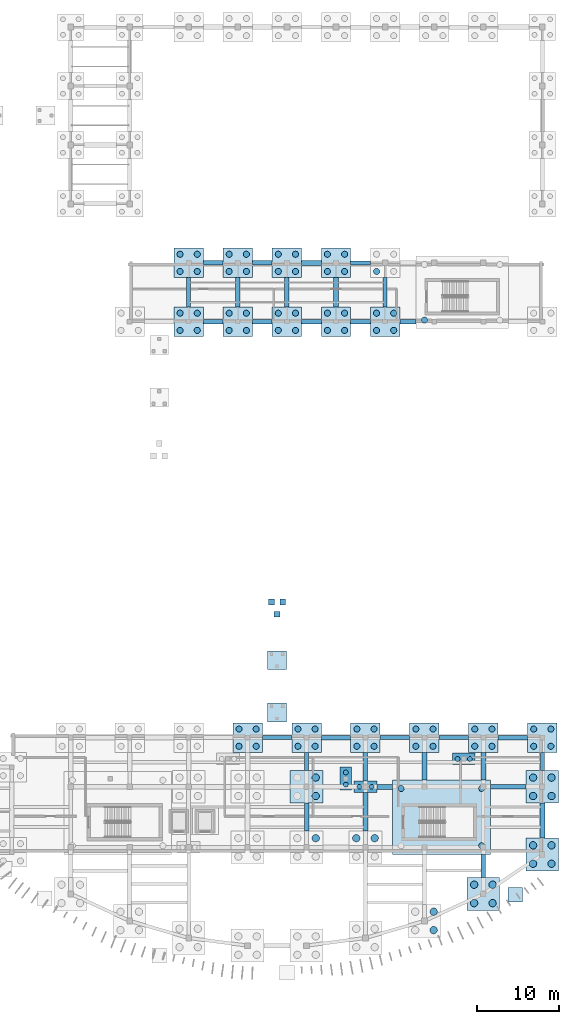
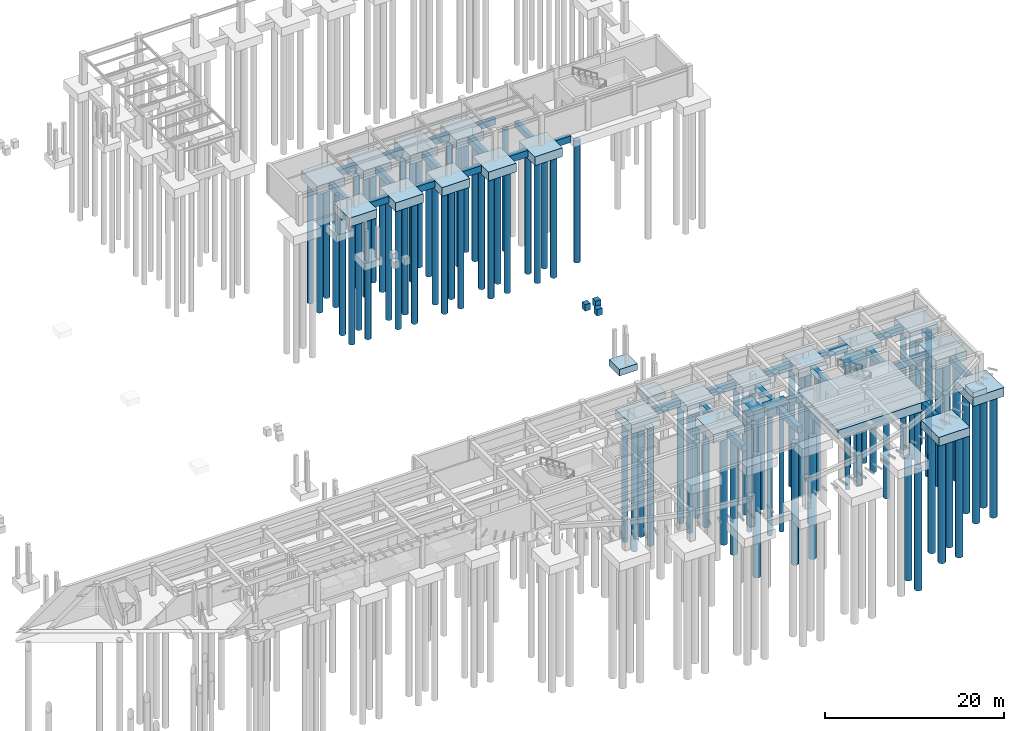
# One storey, part 6 of 31: 90 piles, 59 footings.
"""IFC4 building model written with IfcOpenShell, lengths in metres."""

from ifc_helpers import new_model, si_unit, direction, frame, origin, origin_2d, place, context, subcontext, project, spatial, rectangle, circle, extrude, material, material_profile, profile_set, type_object, element, save


model = new_model("IFC4")

# Units and contexts
model_context = context("Model", 3, precision=1e-05, world=origin(), true_north=direction((0.0, 1.0)))
body_context = subcontext(model_context, "Body", "Model", "MODEL_VIEW")
ifc_project = project(units=[si_unit("LENGTHUNIT", "METRE"), si_unit("AREAUNIT", "SQUARE_METRE"), si_unit("VOLUMEUNIT", "CUBIC_METRE"), si_unit("PLANEANGLEUNIT", "RADIAN"), si_unit("MASSUNIT", "GRAM", prefix="KILO")], contexts=[model_context])

# Site, building, storey
site_placement = place(None, origin())
site = spatial("IfcSite", under=ifc_project, at=site_placement, CompositionType="ELEMENT")
building_placement = place(site_placement, origin())
building = spatial("IfcBuilding", under=site, at=building_placement, Name="Brisavento Harbour Community Centre", CompositionType="ELEMENT")
storey_placement = place(building_placement, frame((0.0, 0.0, -4.199951171875)))
storey = spatial("IfcBuildingStorey", under=building, at=storey_placement, Name="B1", CompositionType="ELEMENT", Elevation=-4.199951171875)

# Footings
ifc_material = material(Name="Concrete C35/45", Category="concrete")
footing_type_1 = type_object("IfcFootingType", Name="FTG-GB-01", PredefinedType="FOOTING_BEAM", material=ifc_material)
footing_1_placement = place(storey_placement, frame((140.39990234375, 28.39990234375, -0.89990234375), z_axis=(0.0, 0.0, 1.0), x_axis=(1.0, 0.0, 0.0)))
element("IfcFooting", 1, at=footing_1_placement, inside=storey, type_object=footing_type_1, Name="Ground tie beam GB-084", PredefinedType="FOOTING_BEAM", context=body_context, shape_type="SweptSolid", body=[
    extrude(rectangle(XDim=3.60009765625, YDim=0.5, at=origin_2d()), origin(), (0.0, 0.0, 1.0), 0.89990234375),
])
footing_2_placement = place(storey_placement, frame((144.0, 25.5, -0.89990234375), z_axis=(0.0, 0.0, 1.0), x_axis=(1.0, 0.0, 0.0)))
element("IfcFooting", 2, at=footing_2_placement, inside=storey, type_object=footing_type_1, Name="Ground tie beam GB-087", PredefinedType="FOOTING_BEAM", context=body_context, shape_type="SweptSolid", body=[
    extrude(rectangle(XDim=0.5, YDim=2.199951171875, at=origin_2d()), origin(), (0.0, 0.0, 1.0), 0.89990234375),
])
for number, where, z_axis, x_axis, name in (
    (3, (154.800048828125, 28.39990234375, -0.89990234375), (0.0, 0.0, 1.0), (1.0, 0.0, 0.0), "Ground tie beam GB-093"),
    (4, (162.0, 28.39990234375, -0.89990234375), (0.0, 0.0, 1.0), (1.0, 0.0, 0.0), "Ground tie beam GB-096"),
):
    element("IfcFooting", number, at=place(storey_placement, frame(where, z_axis=z_axis, x_axis=x_axis)), inside=storey, type_object=footing_type_1, Name=name, PredefinedType="FOOTING_BEAM", context=body_context, shape_type="SweptSolid", body=[
        extrude(rectangle(XDim=3.60009765625, YDim=0.5, at=origin_2d()), origin(), (0.0, 0.0, 1.0), 0.89990234375),
    ])
footing_3_placement = place(storey_placement, frame((168.625, 22.39990234375, -0.89990234375), z_axis=(0.0, 0.0, 1.0), x_axis=(1.0, 0.0, 0.0)))
element("IfcFooting", 5, at=footing_3_placement, inside=storey, type_object=footing_type_1, Name="Ground tie beam GB-099", PredefinedType="FOOTING_BEAM", context=body_context, shape_type="SweptSolid", body=[
    extrude(rectangle(XDim=4.35009765625, YDim=0.5, at=origin_2d()), origin(), (0.0, 0.0, 1.0), 0.89990234375),
])
footing_4_placement = place(storey_placement, frame((172.800048828125, 25.5, -0.89990234375), z_axis=(0.0, 0.0, 1.0), x_axis=(1.0, 0.0, 0.0)))
element("IfcFooting", 6, at=footing_4_placement, inside=storey, type_object=footing_type_1, Name="Ground tie beam GB-102", PredefinedType="FOOTING_BEAM", context=body_context, shape_type="SweptSolid", body=[
    extrude(rectangle(XDim=0.5, YDim=2.199951171875, at=origin_2d()), origin(), (0.0, 0.0, 1.0), 0.89990234375),
])
for number, where, z_axis, x_axis, name in (
    (7, (129.60009765625, 82.800048828125, -0.89990234375), (0.0, 0.0, 1.0), (1.0, 0.0, 0.0), "Ground tie beam GB-105"),
    (8, (135.60009765625, 82.800048828125, -0.89990234375), (0.0, 0.0, 1.0), (1.0, 0.0, 0.0), "Ground tie beam GB-111"),
):
    element("IfcFooting", number, at=place(storey_placement, frame(where, z_axis=z_axis, x_axis=x_axis)), inside=storey, type_object=footing_type_1, Name=name, PredefinedType="FOOTING_BEAM", context=body_context, shape_type="SweptSolid", body=[
        extrude(rectangle(XDim=0.5, YDim=3.60009765625, at=origin_2d()), origin(), (0.0, 0.0, 1.0), 0.89990234375),
    ])
for number, where, z_axis, x_axis, name in (
    (9, (138.60009765625, 79.199951171875, -0.89990234375), (0.0, 0.0, 1.0), (1.0, 0.0, 0.0), "Ground tie beam GB-114"),
    (10, (150.60009765625, 86.39990234375, -0.89990234375), (0.0, 0.0, 1.0), (1.0, 0.0, 0.0), "Ground tie beam GB-120"),
):
    element("IfcFooting", number, at=place(storey_placement, frame(where, z_axis=z_axis, x_axis=x_axis)), inside=storey, type_object=footing_type_1, Name=name, PredefinedType="FOOTING_BEAM", context=body_context, shape_type="SweptSolid", body=[
        extrude(rectangle(XDim=2.39990234375, YDim=0.5, at=origin_2d()), origin(), (0.0, 0.0, 1.0), 0.89990234375),
    ])
footing_5_placement = place(storey_placement, frame((153.60009765625, 82.800048828125, -0.89990234375), z_axis=(0.0, 0.0, 1.0), x_axis=(1.0, 0.0, 0.0)))
element("IfcFooting", 11, at=footing_5_placement, inside=storey, type_object=footing_type_1, Name="Ground tie beam GB-123", PredefinedType="FOOTING_BEAM", context=body_context, shape_type="SweptSolid", body=[
    extrude(rectangle(XDim=0.5, YDim=3.60009765625, at=origin_2d()), origin(), (0.0, 0.0, 1.0), 0.89990234375),
])
footing_6_placement = place(storey_placement, frame((156.375, 79.199951171875, -0.89990234375), z_axis=(0.0, 0.0, 1.0), x_axis=(1.0, 0.0, 0.0)))
element("IfcFooting", 12, at=footing_6_placement, inside=storey, type_object=footing_type_1, Name="Ground tie beam GB-126", PredefinedType="FOOTING_BEAM", context=body_context, shape_type="SweptSolid", body=[
    extrude(rectangle(XDim=1.949951171875, YDim=0.5, at=origin_2d()), origin(), (0.0, 0.0, 1.0), 0.89990234375),
])
footing_type_2 = type_object("IfcFootingType", Name="FTG-GB-02", PredefinedType="FOOTING_BEAM", material=ifc_material)
footing_7_placement = place(storey_placement, frame((144.0, 18.699951171875, -0.89990234375), z_axis=(0.0, 0.0, 1.0), x_axis=(1.0, 0.0, 0.0)))
element("IfcFooting", 13, at=footing_7_placement, inside=storey, type_object=footing_type_2, Name="Ground tie beam GB-085", PredefinedType="FOOTING_BEAM", context=body_context, shape_type="SweptSolid", body=[
    extrude(rectangle(XDim=0.550048828125, YDim=3.39990234375, at=origin_2d()), origin(), (0.0, 0.0, 1.0), 0.89990234375),
])
footing_8_placement = place(storey_placement, frame((147.60009765625, 28.39990234375, -0.89990234375), z_axis=(0.0, 0.0, 1.0), x_axis=(1.0, 0.0, 0.0)))
element("IfcFooting", 14, at=footing_8_placement, inside=storey, type_object=footing_type_2, Name="Ground tie beam GB-088", PredefinedType="FOOTING_BEAM", context=body_context, shape_type="SweptSolid", body=[
    extrude(rectangle(XDim=3.60009765625, YDim=0.550048828125, at=origin_2d()), origin(), (0.0, 0.0, 1.0), 0.89990234375),
])
footing_9_placement = place(storey_placement, frame((151.199951171875, 24.85009765625, -0.89990234375), z_axis=(0.0, 0.0, 1.0), x_axis=(1.0, 0.0, 0.0)))
element("IfcFooting", 15, at=footing_9_placement, inside=storey, type_object=footing_type_2, Name="Ground tie beam GB-091", PredefinedType="FOOTING_BEAM", context=body_context, shape_type="SweptSolid", body=[
    extrude(rectangle(XDim=0.550048828125, YDim=3.5, at=origin_2d()), origin(), (0.0, 0.0, 1.0), 0.89990234375),
])
footing_10_placement = place(storey_placement, frame((165.60009765625, 12.73193359375, -0.89990234375), z_axis=(0.0, 0.0, 1.0), x_axis=(1.0, 0.0, 0.0)))
element("IfcFooting", 16, at=footing_10_placement, inside=storey, type_object=footing_type_2, Name="Ground tie beam GB-097", PredefinedType="FOOTING_BEAM", context=body_context, shape_type="SweptSolid", body=[
    extrude(rectangle(XDim=0.550048828125, YDim=2.8359375, at=origin_2d()), origin(), (0.0, 0.0, 1.0), 0.89990234375),
])
footing_11_placement = place(storey_placement, frame((169.199951171875, 28.39990234375, -0.89990234375), z_axis=(0.0, 0.0, 1.0), x_axis=(1.0, 0.0, 0.0)))
element("IfcFooting", 17, at=footing_11_placement, inside=storey, type_object=footing_type_2, Name="Ground tie beam GB-100", PredefinedType="FOOTING_BEAM", context=body_context, shape_type="SweptSolid", body=[
    extrude(rectangle(XDim=3.60009765625, YDim=0.550048828125, at=origin_2d()), origin(), (0.0, 0.0, 1.0), 0.89990234375),
])
for number, where, z_axis, x_axis, name in (
    (18, (132.60009765625, 86.39990234375, -0.89990234375), (0.0, 0.0, 1.0), (1.0, 0.0, 0.0), "Ground tie beam GB-106"),
    (19, (132.60009765625, 79.199951171875, -0.89990234375), (0.0, 0.0, 1.0), (1.0, 0.0, 0.0), "Ground tie beam GB-109"),
    (20, (138.60009765625, 86.39990234375, -0.89990234375), (0.0, 0.0, 1.0), (1.0, 0.0, 0.0), "Ground tie beam GB-112"),
):
    element("IfcFooting", number, at=place(storey_placement, frame(where, z_axis=z_axis, x_axis=x_axis)), inside=storey, type_object=footing_type_2, Name=name, PredefinedType="FOOTING_BEAM", context=body_context, shape_type="SweptSolid", body=[
        extrude(rectangle(XDim=2.39990234375, YDim=0.550048828125, at=origin_2d()), origin(), (0.0, 0.0, 1.0), 0.89990234375),
    ])
footing_12_placement = place(storey_placement, frame((141.60009765625, 82.800048828125, -0.89990234375), z_axis=(0.0, 0.0, 1.0), x_axis=(1.0, 0.0, 0.0)))
element("IfcFooting", 21, at=footing_12_placement, inside=storey, type_object=footing_type_2, Name="Ground tie beam GB-115", PredefinedType="FOOTING_BEAM", context=body_context, shape_type="SweptSolid", body=[
    extrude(rectangle(XDim=0.550048828125, YDim=3.60009765625, at=origin_2d()), origin(), (0.0, 0.0, 1.0), 0.89990234375),
])
footing_13_placement = place(storey_placement, frame((144.60009765625, 79.199951171875, -0.89990234375), z_axis=(0.0, 0.0, 1.0), x_axis=(1.0, 0.0, 0.0)))
element("IfcFooting", 22, at=footing_13_placement, inside=storey, type_object=footing_type_2, Name="Ground tie beam GB-118", PredefinedType="FOOTING_BEAM", context=body_context, shape_type="SweptSolid", body=[
    extrude(rectangle(XDim=2.39990234375, YDim=0.550048828125, at=origin_2d()), origin(), (0.0, 0.0, 1.0), 0.89990234375),
])
footing_type_3 = type_object("IfcFootingType", Name="FTG-GB-03", PredefinedType="FOOTING_BEAM", material=ifc_material)
footing_14_placement = place(storey_placement, frame((151.199951171875, 19.35009765625, -0.89990234375), z_axis=(0.0, 0.0, 1.0), x_axis=(1.0, 0.0, 0.0)))
element("IfcFooting", 23, at=footing_14_placement, inside=storey, type_object=footing_type_3, Name="Ground tie beam GB-089", PredefinedType="FOOTING_BEAM", context=body_context, shape_type="SweptSolid", body=[
    extrude(rectangle(XDim=0.60009765625, YDim=4.699951171875, at=origin_2d()), origin(), (0.0, 0.0, 1.0), 0.89990234375),
])
footing_15_placement = place(storey_placement, frame((153.550048828125, 22.39990234375, -0.89990234375), z_axis=(0.0, 0.0, 1.0), x_axis=(1.0, 0.0, 0.0)))
element("IfcFooting", 24, at=footing_15_placement, inside=storey, type_object=footing_type_3, Name="Ground tie beam GB-092", PredefinedType="FOOTING_BEAM", context=body_context, shape_type="SweptSolid", body=[
    extrude(rectangle(XDim=1.89990234375, YDim=0.60009765625, at=origin_2d()), origin(), (0.0, 0.0, 1.0), 0.89990234375),
])
for number, where, z_axis, x_axis, name in (
    (25, (158.39990234375, 24.925048828125, -0.89990234375), (0.0, 0.0, 1.0), (1.0, 0.0, 0.0), "Ground tie beam GB-095"),
    (26, (165.60009765625, 24.925048828125, -0.89990234375), (0.0, 0.0, 1.0), (1.0, 0.0, 0.0), "Ground tie beam GB-098"),
):
    element("IfcFooting", number, at=place(storey_placement, frame(where, z_axis=z_axis, x_axis=x_axis)), inside=storey, type_object=footing_type_3, Name=name, PredefinedType="FOOTING_BEAM", context=body_context, shape_type="SweptSolid", body=[
        extrude(rectangle(XDim=0.60009765625, YDim=3.35009765625, at=origin_2d()), origin(), (0.0, 0.0, 1.0), 0.89990234375),
    ])
footing_16_placement = place(storey_placement, frame((172.800048828125, 18.263916015625, -0.89990234375), z_axis=(0.0, 0.0, 1.0), x_axis=(1.0, 0.0, 0.0)))
element("IfcFooting", 27, at=footing_16_placement, inside=storey, type_object=footing_type_3, Name="Ground tie beam GB-101", PredefinedType="FOOTING_BEAM", context=body_context, shape_type="SweptSolid", body=[
    extrude(rectangle(XDim=0.60009765625, YDim=4.27197265625, at=origin_2d()), origin(), (0.0, 0.0, 1.0), 0.89990234375),
])
footing_17_placement = place(storey_placement, frame((144.60009765625, 86.39990234375, -0.89990234375), z_axis=(0.0, 0.0, 1.0), x_axis=(1.0, 0.0, 0.0)))
element("IfcFooting", 28, at=footing_17_placement, inside=storey, type_object=footing_type_3, Name="Ground tie beam GB-116", PredefinedType="FOOTING_BEAM", context=body_context, shape_type="SweptSolid", body=[
    extrude(rectangle(XDim=2.39990234375, YDim=0.60009765625, at=origin_2d()), origin(), (0.0, 0.0, 1.0), 0.89990234375),
])
footing_18_placement = place(storey_placement, frame((147.60009765625, 82.800048828125, -0.89990234375), z_axis=(0.0, 0.0, 1.0), x_axis=(1.0, 0.0, 0.0)))
element("IfcFooting", 29, at=footing_18_placement, inside=storey, type_object=footing_type_3, Name="Ground tie beam GB-119", PredefinedType="FOOTING_BEAM", context=body_context, shape_type="SweptSolid", body=[
    extrude(rectangle(XDim=0.60009765625, YDim=3.60009765625, at=origin_2d()), origin(), (0.0, 0.0, 1.0), 0.89990234375),
])
footing_19_placement = place(storey_placement, frame((150.60009765625, 79.199951171875, -0.89990234375), z_axis=(0.0, 0.0, 1.0), x_axis=(1.0, 0.0, 0.0)))
element("IfcFooting", 30, at=footing_19_placement, inside=storey, type_object=footing_type_3, Name="Ground tie beam GB-122", PredefinedType="FOOTING_BEAM", context=body_context, shape_type="SweptSolid", body=[
    extrude(rectangle(XDim=2.39990234375, YDim=0.60009765625, at=origin_2d()), origin(), (0.0, 0.0, 1.0), 0.89990234375),
])
footing_type_4 = type_object("IfcFootingType", Name="FTG-MAT-C3B", PredefinedType="PILE_CAP", material=ifc_material)
footing_20_placement = place(storey_placement, frame((160.47509765625, 18.699951171875, -1.2001953125), z_axis=(0.0, 0.0, 1.0), x_axis=(1.0, 0.0, 0.0)))
element("IfcFooting", 31, at=footing_20_placement, inside=storey, type_object=footing_type_4, Name="Stair core C3B mat pile cap", PredefinedType="PILE_CAP", context=body_context, shape_type="SweptSolid", body=[
    extrude(rectangle(XDim=11.949951171875, YDim=9.10009765625, at=origin_2d()), origin(), (0.0, 0.0, 1.0), 1.199951171875),
])
footing_type_5 = type_object("IfcFootingType", Name="FTG-MST-MST-05-MID", PredefinedType="PAD_FOOTING", material=ifc_material)
footing_21_placement = place(storey_placement, frame((140.39990234375, 37.85498046875, -0.89990234375), z_axis=(0.0, 0.0, 1.0), x_axis=(1.0, 0.0, 0.0)))
element("IfcFooting", 32, at=footing_21_placement, inside=storey, type_object=footing_type_5, Name="MST-05 MID landing pad footing", PredefinedType="PAD_FOOTING", context=body_context, shape_type="SweptSolid", body=[
    extrude(rectangle(XDim=2.300048828125, YDim=2.300048828125, at=origin_2d()), origin(), (0.0, 0.0, 1.0), 0.89990234375),
])
footing_type_6 = type_object("IfcFootingType", Name="FTG-MST-MST-05-TOP", PredefinedType="PAD_FOOTING", material=ifc_material)
footing_22_placement = place(storey_placement, frame((140.39990234375, 31.485107421875, -0.89990234375), z_axis=(0.0, 0.0, 1.0), x_axis=(1.0, 0.0, 0.0)))
element("IfcFooting", 33, at=footing_22_placement, inside=storey, type_object=footing_type_6, Name="MST-05 TOP landing pad footing", PredefinedType="PAD_FOOTING", context=body_context, shape_type="SweptSolid", body=[
    extrude(rectangle(XDim=2.300048828125, YDim=2.300048828125, at=origin_2d()), origin(), (0.0, 0.0, 1.0), 0.89990234375),
])
footing_type_7 = type_object("IfcFootingType", Name="FTG-PC-2A", PredefinedType="PILE_CAP", material=ifc_material)
footing_23_placement = place(storey_placement, frame((151.199951171875, 22.39990234375, -1.2001953125), z_axis=(0.0, 0.0, 1.0), x_axis=(1.0, 0.0, 0.0)))
element("IfcFooting", 34, at=footing_23_placement, inside=storey, type_object=footing_type_7, Name="Pile cap PC-083", PredefinedType="PILE_CAP", context=body_context, shape_type="SweptSolid", body=[
    extrude(rectangle(XDim=2.800048828125, YDim=1.39990234375, at=origin_2d()), origin(), (0.0, 0.0, 1.0), 1.199951171875),
])
footing_24_placement = place(storey_placement, frame((148.800048828125, 23.39990234375, -1.2001953125), z_axis=(0.0, 0.0, 1.0), x_axis=(1.0, 0.0, 0.0)))
element("IfcFooting", 35, at=footing_24_placement, inside=storey, type_object=footing_type_7, Name="Pile cap PC-098", PredefinedType="PILE_CAP", context=body_context, shape_type="SweptSolid", body=[
    extrude(rectangle(XDim=1.39990234375, YDim=2.800048828125, at=origin_2d()), origin(), (0.0, 0.0, 1.0), 1.199951171875),
])
footing_25_placement = place(storey_placement, frame((163.199951171875, 25.800048828125, -1.2001953125), z_axis=(0.0, 0.0, 1.0), x_axis=(1.0, 0.0, 0.0)))
element("IfcFooting", 36, at=footing_25_placement, inside=storey, type_object=footing_type_7, Name="Pile cap PC-099", PredefinedType="PILE_CAP", context=body_context, shape_type="SweptSolid", body=[
    extrude(rectangle(XDim=2.800048828125, YDim=1.39990234375, at=origin_2d()), origin(), (0.0, 0.0, 1.0), 1.199951171875),
])
footing_type_8 = type_object("IfcFootingType", Name="FTG-PC-4B", PredefinedType="PILE_CAP", material=ifc_material)
for number, where, z_axis, x_axis, name in (
    (37, (136.800048828125, 28.39990234375, -1.2001953125), (0.0, 0.0, 1.0), (1.0, 0.0, 0.0), "Pile cap PC-076"),
    (38, (144.0, 28.39990234375, -1.2001953125), (0.0, 0.0, 1.0), (1.0, 0.0, 0.0), "Pile cap PC-080"),
    (39, (151.199951171875, 28.39990234375, -1.2001953125), (0.0, 0.0, 1.0), (1.0, 0.0, 0.0), "Pile cap PC-084"),
    (40, (158.39990234375, 28.39990234375, -1.2001953125), (0.0, 0.0, 1.0), (1.0, 0.0, 0.0), "Pile cap PC-088"),
    (41, (165.60009765625, 28.39990234375, -1.2001953125), (0.0, 0.0, 1.0), (1.0, 0.0, 0.0), "Pile cap PC-092"),
    (42, (172.800048828125, 28.39990234375, -1.2001953125), (0.0, 0.0, 1.0), (1.0, 0.0, 0.0), "Pile cap PC-095"),
    (43, (129.60009765625, 86.39990234375, -1.2001953125), (0.0, 0.0, 1.0), (1.0, 0.0, 0.0), "Pile cap PC-103"),
    (44, (129.60009765625, 79.199951171875, -1.2001953125), (0.0, 0.0, 1.0), (1.0, 0.0, 0.0), "Pile cap PC-105"),
    (45, (135.60009765625, 86.39990234375, -1.2001953125), (0.0, 0.0, 1.0), (1.0, 0.0, 0.0), "Pile cap PC-106"),
    (46, (135.60009765625, 79.199951171875, -1.2001953125), (0.0, 0.0, 1.0), (1.0, 0.0, 0.0), "Pile cap PC-108"),
    (47, (141.60009765625, 86.39990234375, -1.2001953125), (0.0, 0.0, 1.0), (1.0, 0.0, 0.0), "Pile cap PC-109"),
    (48, (141.60009765625, 79.199951171875, -1.2001953125), (0.0, 0.0, 1.0), (1.0, 0.0, 0.0), "Pile cap PC-111"),
    (49, (147.60009765625, 86.39990234375, -1.2001953125), (0.0, 0.0, 1.0), (1.0, 0.0, 0.0), "Pile cap PC-112"),
    (50, (147.60009765625, 79.199951171875, -1.2001953125), (0.0, 0.0, 1.0), (1.0, 0.0, 0.0), "Pile cap PC-114"),
    (51, (153.60009765625, 79.199951171875, -1.2001953125), (0.0, 0.0, 1.0), (1.0, 0.0, 0.0), "Pile cap PC-117"),
):
    element("IfcFooting", number, at=place(storey_placement, frame(where, z_axis=z_axis, x_axis=x_axis)), inside=storey, type_object=footing_type_8, Name=name, PredefinedType="PILE_CAP", context=body_context, shape_type="SweptSolid", body=[
        extrude(rectangle(XDim=3.60009765625, YDim=3.60009765625, at=origin_2d()), origin(), (0.0, 0.0, 1.0), 1.199951171875),
    ])
footing_type_9 = type_object("IfcFootingType", Name="FTG-PC-4C", PredefinedType="PILE_CAP", material=ifc_material)
for number, where, z_axis, x_axis, name in (
    (52, (144.0, 22.39990234375, -1.2001953125), (0.0, 0.0, 1.0), (1.0, 0.0, 0.0), "Pile cap PC-079"),
    (53, (165.60009765625, 9.31396484375, -1.2001953125), (0.0, 0.0, 1.0), (1.0, 0.0, 0.0), "Pile cap PC-089"),
    (54, (172.800048828125, 14.1279296875, -1.2001953125), (0.0, 0.0, 1.0), (1.0, 0.0, 0.0), "Pile cap PC-093"),
    (55, (172.800048828125, 22.39990234375, -1.2001953125), (0.0, 0.0, 1.0), (1.0, 0.0, 0.0), "Pile cap PC-094"),
):
    element("IfcFooting", number, at=place(storey_placement, frame(where, z_axis=z_axis, x_axis=x_axis)), inside=storey, type_object=footing_type_9, Name=name, PredefinedType="PILE_CAP", context=body_context, shape_type="SweptSolid", body=[
        extrude(rectangle(XDim=4.0, YDim=4.0, at=origin_2d()), origin(), (0.0, 0.0, 1.0), 1.199951171875),
    ])
footing_type_10 = type_object("IfcFootingType", Name="FTG-PF-05", PredefinedType="PAD_FOOTING", material=ifc_material)
footing_26_placement = place(storey_placement, frame((169.5, 9.199951171875, 2.97998046875), z_axis=(0.0, 0.0, 1.0), x_axis=(1.0, 0.0, 0.0)))
element("IfcFooting", 56, at=footing_26_placement, inside=storey, type_object=footing_type_10, Name="Colonnade plinth pad footing V3-3", PredefinedType="PAD_FOOTING", context=body_context, shape_type="SweptSolid", body=[
    extrude(rectangle(XDim=1.800048828125, YDim=1.800048828125, at=origin_2d()), origin(), (0.0, 0.0, 1.0), 0.800048828125),
])
footing_type_11 = type_object("IfcFootingType", Name="FTG-PF-07", PredefinedType="PAD_FOOTING", material=ifc_material)
for number, where, z_axis, x_axis, name in (
    (57, (139.719970703125, 44.969970703125, 3.10009765625), (0.0, 0.0, 1.0), (1.0, 0.0, 0.0), "MST-05 BOT support footing 1"),
    (58, (141.080078125, 44.969970703125, 3.10009765625), (0.0, 0.0, 1.0), (1.0, 0.0, 0.0), "MST-05 BOT support footing 2"),
    (59, (140.39990234375, 43.47998046875, 3.10009765625), (0.0, 0.0, 1.0), (1.0, 0.0, 0.0), "MST-05 BOT support footing 3"),
):
    element("IfcFooting", number, at=place(storey_placement, frame(where, z_axis=z_axis, x_axis=x_axis)), inside=storey, type_object=footing_type_11, Name=name, PredefinedType="PAD_FOOTING", context=body_context, shape_type="SweptSolid", body=[
        extrude(rectangle(XDim=0.699951171875, YDim=0.699951171875, at=origin_2d()), origin(), (0.0, 0.0, 1.0), 0.89990234375),
    ])

# Piles
ifc_material_profile_1 = material_profile(ifc_material, circle(Radius=0.300048828125, at=origin_2d()), Name="Concrete C35/45")
ifc_profile_set_1 = profile_set([ifc_material_profile_1], Name="Concrete C35/45")
pile_type_1 = type_object("IfcPileType", Name="PILE-600", PredefinedType="BORED", material=ifc_profile_set_1)
for number, where, z_axis, x_axis, name in (
    (60, (150.449951171875, 22.39990234375, -1.10009765625), (0.0, 0.0, -1.0), (1.0, 0.0, 0.0), "Bored pile PC-083-P1"),
    (61, (151.949951171875, 22.39990234375, -1.10009765625), (0.0, 0.0, -1.0), (1.0, 0.0, 0.0), "Bored pile PC-083-P2"),
    (62, (148.800048828125, 22.64990234375, -1.10009765625), (0.0, 0.0, -1.0), (1.0, 0.0, 0.0), "Bored pile PC-098-P1"),
    (63, (148.800048828125, 24.14990234375, -1.10009765625), (0.0, 0.0, -1.0), (1.0, 0.0, 0.0), "Bored pile PC-098-P2"),
    (64, (162.449951171875, 25.800048828125, -1.10009765625), (0.0, 0.0, -1.0), (1.0, 0.0, 0.0), "Bored pile PC-099-P1"),
    (65, (163.949951171875, 25.800048828125, -1.10009765625), (0.0, 0.0, -1.0), (1.0, 0.0, 0.0), "Bored pile PC-099-P2"),
):
    element("IfcPile", number, at=place(storey_placement, frame(where, z_axis=z_axis, x_axis=x_axis)), inside=storey, type_object=pile_type_1, Name=name, PredefinedType="BORED", context=body_context, shape_type="SweptSolid", body=[
        extrude(circle(Radius=0.300048828125, at=origin_2d()), origin(), (0.0, 0.0, 1.0), 16.699951171875),
    ])
ifc_material_profile_2 = material_profile(ifc_material, circle(Radius=0.375, at=origin_2d()), Name="Concrete C35/45")
ifc_profile_set_2 = profile_set([ifc_material_profile_2], Name="Concrete C35/45")
pile_type_2 = type_object("IfcPileType", Name="PILE-750", PredefinedType="BORED", material=ifc_profile_set_2)
for number, where, z_axis, x_axis, name in (
    (66, (165.39990234375, 15.199951171875, -1.10009765625), (0.0, 0.0, -1.0), (1.0, 0.0, 0.0), "Core C3B bored pile P2"),
    (67, (155.550048828125, 22.199951171875, -1.10009765625), (0.0, 0.0, -1.0), (1.0, 0.0, 0.0), "Core C3B bored pile P3"),
    (68, (165.39990234375, 22.199951171875, -1.10009765625), (0.0, 0.0, -1.0), (1.0, 0.0, 0.0), "Core C3B bored pile P4"),
    (69, (158.39990234375, 79.39990234375, -1.10009765625), (0.0, 0.0, -1.0), (1.0, 0.0, 0.0), "Core C4 bored pile P1"),
    (70, (135.75, 27.35009765625, -1.10009765625), (0.0, 0.0, -1.0), (1.0, 0.0, 0.0), "Bored pile PC-076-P1"),
    (71, (137.85009765625, 27.35009765625, -1.10009765625), (0.0, 0.0, -1.0), (1.0, 0.0, 0.0), "Bored pile PC-076-P2"),
    (72, (135.75, 29.449951171875, -1.10009765625), (0.0, 0.0, -1.0), (1.0, 0.0, 0.0), "Bored pile PC-076-P3"),
    (73, (137.85009765625, 29.449951171875, -1.10009765625), (0.0, 0.0, -1.0), (1.0, 0.0, 0.0), "Bored pile PC-076-P4"),
    (74, (142.949951171875, 27.35009765625, -1.10009765625), (0.0, 0.0, -1.0), (1.0, 0.0, 0.0), "Bored pile PC-080-P1"),
    (75, (145.050048828125, 27.35009765625, -1.10009765625), (0.0, 0.0, -1.0), (1.0, 0.0, 0.0), "Bored pile PC-080-P2"),
    (76, (142.949951171875, 29.449951171875, -1.10009765625), (0.0, 0.0, -1.0), (1.0, 0.0, 0.0), "Bored pile PC-080-P3"),
    (77, (145.050048828125, 29.449951171875, -1.10009765625), (0.0, 0.0, -1.0), (1.0, 0.0, 0.0), "Bored pile PC-080-P4"),
    (78, (150.14990234375, 27.35009765625, -1.10009765625), (0.0, 0.0, -1.0), (1.0, 0.0, 0.0), "Bored pile PC-084-P1"),
    (79, (152.25, 27.35009765625, -1.10009765625), (0.0, 0.0, -1.0), (1.0, 0.0, 0.0), "Bored pile PC-084-P2"),
    (80, (150.14990234375, 29.449951171875, -1.10009765625), (0.0, 0.0, -1.0), (1.0, 0.0, 0.0), "Bored pile PC-084-P3"),
    (81, (152.25, 29.449951171875, -1.10009765625), (0.0, 0.0, -1.0), (1.0, 0.0, 0.0), "Bored pile PC-084-P4"),
    (82, (157.35009765625, 27.35009765625, -1.10009765625), (0.0, 0.0, -1.0), (1.0, 0.0, 0.0), "Bored pile PC-088-P1"),
    (83, (159.449951171875, 27.35009765625, -1.10009765625), (0.0, 0.0, -1.0), (1.0, 0.0, 0.0), "Bored pile PC-088-P2"),
    (84, (157.35009765625, 29.449951171875, -1.10009765625), (0.0, 0.0, -1.0), (1.0, 0.0, 0.0), "Bored pile PC-088-P3"),
    (85, (159.449951171875, 29.449951171875, -1.10009765625), (0.0, 0.0, -1.0), (1.0, 0.0, 0.0), "Bored pile PC-088-P4"),
    (86, (164.550048828125, 27.35009765625, -1.10009765625), (0.0, 0.0, -1.0), (1.0, 0.0, 0.0), "Bored pile PC-092-P1"),
    (87, (166.64990234375, 27.35009765625, -1.10009765625), (0.0, 0.0, -1.0), (1.0, 0.0, 0.0), "Bored pile PC-092-P2"),
    (88, (164.550048828125, 29.449951171875, -1.10009765625), (0.0, 0.0, -1.0), (1.0, 0.0, 0.0), "Bored pile PC-092-P3"),
    (89, (166.64990234375, 29.449951171875, -1.10009765625), (0.0, 0.0, -1.0), (1.0, 0.0, 0.0), "Bored pile PC-092-P4"),
    (90, (171.75, 27.35009765625, -1.10009765625), (0.0, 0.0, -1.0), (1.0, 0.0, 0.0), "Bored pile PC-095-P1"),
    (91, (173.85009765625, 27.35009765625, -1.10009765625), (0.0, 0.0, -1.0), (1.0, 0.0, 0.0), "Bored pile PC-095-P2"),
    (92, (171.75, 29.449951171875, -1.10009765625), (0.0, 0.0, -1.0), (1.0, 0.0, 0.0), "Bored pile PC-095-P3"),
    (93, (173.85009765625, 29.449951171875, -1.10009765625), (0.0, 0.0, -1.0), (1.0, 0.0, 0.0), "Bored pile PC-095-P4"),
    (94, (128.550048828125, 85.35009765625, -1.10009765625), (0.0, 0.0, -1.0), (1.0, 0.0, 0.0), "Bored pile PC-103-P1"),
    (95, (130.64990234375, 85.35009765625, -1.10009765625), (0.0, 0.0, -1.0), (1.0, 0.0, 0.0), "Bored pile PC-103-P2"),
    (96, (128.550048828125, 87.449951171875, -1.10009765625), (0.0, 0.0, -1.0), (1.0, 0.0, 0.0), "Bored pile PC-103-P3"),
    (97, (130.64990234375, 87.449951171875, -1.10009765625), (0.0, 0.0, -1.0), (1.0, 0.0, 0.0), "Bored pile PC-103-P4"),
    (98, (128.550048828125, 78.14990234375, -1.10009765625), (0.0, 0.0, -1.0), (1.0, 0.0, 0.0), "Bored pile PC-105-P1"),
    (99, (130.64990234375, 78.14990234375, -1.10009765625), (0.0, 0.0, -1.0), (1.0, 0.0, 0.0), "Bored pile PC-105-P2"),
    (100, (128.550048828125, 80.25, -1.10009765625), (0.0, 0.0, -1.0), (1.0, 0.0, 0.0), "Bored pile PC-105-P3"),
    (101, (130.64990234375, 80.25, -1.10009765625), (0.0, 0.0, -1.0), (1.0, 0.0, 0.0), "Bored pile PC-105-P4"),
    (102, (134.550048828125, 85.35009765625, -1.10009765625), (0.0, 0.0, -1.0), (1.0, 0.0, 0.0), "Bored pile PC-106-P1"),
    (103, (136.64990234375, 85.35009765625, -1.10009765625), (0.0, 0.0, -1.0), (1.0, 0.0, 0.0), "Bored pile PC-106-P2"),
    (104, (134.550048828125, 87.449951171875, -1.10009765625), (0.0, 0.0, -1.0), (1.0, 0.0, 0.0), "Bored pile PC-106-P3"),
    (105, (136.64990234375, 87.449951171875, -1.10009765625), (0.0, 0.0, -1.0), (1.0, 0.0, 0.0), "Bored pile PC-106-P4"),
    (106, (134.550048828125, 78.14990234375, -1.10009765625), (0.0, 0.0, -1.0), (1.0, 0.0, 0.0), "Bored pile PC-108-P1"),
    (107, (136.64990234375, 78.14990234375, -1.10009765625), (0.0, 0.0, -1.0), (1.0, 0.0, 0.0), "Bored pile PC-108-P2"),
    (108, (134.550048828125, 80.25, -1.10009765625), (0.0, 0.0, -1.0), (1.0, 0.0, 0.0), "Bored pile PC-108-P3"),
    (109, (136.64990234375, 80.25, -1.10009765625), (0.0, 0.0, -1.0), (1.0, 0.0, 0.0), "Bored pile PC-108-P4"),
    (110, (140.550048828125, 85.35009765625, -1.10009765625), (0.0, 0.0, -1.0), (1.0, 0.0, 0.0), "Bored pile PC-109-P1"),
    (111, (142.64990234375, 85.35009765625, -1.10009765625), (0.0, 0.0, -1.0), (1.0, 0.0, 0.0), "Bored pile PC-109-P2"),
    (112, (140.550048828125, 87.449951171875, -1.10009765625), (0.0, 0.0, -1.0), (1.0, 0.0, 0.0), "Bored pile PC-109-P3"),
    (113, (142.64990234375, 87.449951171875, -1.10009765625), (0.0, 0.0, -1.0), (1.0, 0.0, 0.0), "Bored pile PC-109-P4"),
    (114, (140.550048828125, 78.14990234375, -1.10009765625), (0.0, 0.0, -1.0), (1.0, 0.0, 0.0), "Bored pile PC-111-P1"),
    (115, (142.64990234375, 78.14990234375, -1.10009765625), (0.0, 0.0, -1.0), (1.0, 0.0, 0.0), "Bored pile PC-111-P2"),
    (116, (140.550048828125, 80.25, -1.10009765625), (0.0, 0.0, -1.0), (1.0, 0.0, 0.0), "Bored pile PC-111-P3"),
    (117, (142.64990234375, 80.25, -1.10009765625), (0.0, 0.0, -1.0), (1.0, 0.0, 0.0), "Bored pile PC-111-P4"),
    (118, (146.550048828125, 85.35009765625, -1.10009765625), (0.0, 0.0, -1.0), (1.0, 0.0, 0.0), "Bored pile PC-112-P1"),
    (119, (148.64990234375, 85.35009765625, -1.10009765625), (0.0, 0.0, -1.0), (1.0, 0.0, 0.0), "Bored pile PC-112-P2"),
    (120, (146.550048828125, 87.449951171875, -1.10009765625), (0.0, 0.0, -1.0), (1.0, 0.0, 0.0), "Bored pile PC-112-P3"),
    (121, (148.64990234375, 87.449951171875, -1.10009765625), (0.0, 0.0, -1.0), (1.0, 0.0, 0.0), "Bored pile PC-112-P4"),
    (122, (146.550048828125, 78.14990234375, -1.10009765625), (0.0, 0.0, -1.0), (1.0, 0.0, 0.0), "Bored pile PC-114-P1"),
    (123, (148.64990234375, 78.14990234375, -1.10009765625), (0.0, 0.0, -1.0), (1.0, 0.0, 0.0), "Bored pile PC-114-P2"),
    (124, (146.550048828125, 80.25, -1.10009765625), (0.0, 0.0, -1.0), (1.0, 0.0, 0.0), "Bored pile PC-114-P3"),
    (125, (148.64990234375, 80.25, -1.10009765625), (0.0, 0.0, -1.0), (1.0, 0.0, 0.0), "Bored pile PC-114-P4"),
    (126, (152.550048828125, 85.35009765625, -1.10009765625), (0.0, 0.0, -1.0), (1.0, 0.0, 0.0), "Bored pile PC-115-P1"),
    (127, (152.550048828125, 78.14990234375, -1.10009765625), (0.0, 0.0, -1.0), (1.0, 0.0, 0.0), "Bored pile PC-117-P1"),
    (128, (154.64990234375, 78.14990234375, -1.10009765625), (0.0, 0.0, -1.0), (1.0, 0.0, 0.0), "Bored pile PC-117-P2"),
    (129, (152.550048828125, 80.25, -1.10009765625), (0.0, 0.0, -1.0), (1.0, 0.0, 0.0), "Bored pile PC-117-P3"),
    (130, (154.64990234375, 80.25, -1.10009765625), (0.0, 0.0, -1.0), (1.0, 0.0, 0.0), "Bored pile PC-117-P4"),
):
    element("IfcPile", number, at=place(storey_placement, frame(where, z_axis=z_axis, x_axis=x_axis)), inside=storey, type_object=pile_type_2, Name=name, PredefinedType="BORED", context=body_context, shape_type="SweptSolid", body=[
        extrude(circle(Radius=0.375, at=origin_2d()), origin(), (0.0, 0.0, 1.0), 16.699951171875),
    ])
ifc_material_profile_3 = material_profile(ifc_material, circle(Radius=0.449951171875, at=origin_2d()), Name="Concrete C35/45")
ifc_profile_set_3 = profile_set([ifc_material_profile_3], Name="Concrete C35/45")
pile_type_3 = type_object("IfcPileType", Name="PILE-900", PredefinedType="BORED", material=ifc_profile_set_3)
for number, where, z_axis, x_axis, name in (
    (131, (145.125, 16.125, -1.10009765625), (0.0, 0.0, -1.0), (1.0, 0.0, 0.0), "Bored pile PC-078-P4"),
    (132, (145.125, 21.27490234375, -1.10009765625), (0.0, 0.0, -1.0), (1.0, 0.0, 0.0), "Bored pile PC-079-P2"),
    (133, (145.125, 23.52490234375, -1.10009765625), (0.0, 0.0, -1.0), (1.0, 0.0, 0.0), "Bored pile PC-079-P4"),
    (134, (150.074951171875, 16.125, -1.10009765625), (0.0, 0.0, -1.0), (1.0, 0.0, 0.0), "Bored pile PC-082-P3"),
    (135, (152.324951171875, 16.125, -1.10009765625), (0.0, 0.0, -1.0), (1.0, 0.0, 0.0), "Bored pile PC-082-P4"),
    (136, (159.52490234375, 4.889892578125, -1.10009765625), (0.0, 0.0, -1.0), (1.0, 0.0, 0.0), "Bored pile PC-085-P2"),
    (137, (159.52490234375, 7.139892578125, -1.10009765625), (0.0, 0.0, -1.0), (1.0, 0.0, 0.0), "Bored pile PC-085-P4"),
    (138, (164.47509765625, 8.18896484375, -1.10009765625), (0.0, 0.0, -1.0), (1.0, 0.0, 0.0), "Bored pile PC-089-P1"),
    (139, (166.72509765625, 8.18896484375, -1.10009765625), (0.0, 0.0, -1.0), (1.0, 0.0, 0.0), "Bored pile PC-089-P2"),
    (140, (164.47509765625, 10.43896484375, -1.10009765625), (0.0, 0.0, -1.0), (1.0, 0.0, 0.0), "Bored pile PC-089-P3"),
    (141, (166.72509765625, 10.43896484375, -1.10009765625), (0.0, 0.0, -1.0), (1.0, 0.0, 0.0), "Bored pile PC-089-P4"),
    (142, (171.675048828125, 13.0029296875, -1.10009765625), (0.0, 0.0, -1.0), (1.0, 0.0, 0.0), "Bored pile PC-093-P1"),
    (143, (173.925048828125, 13.0029296875, -1.10009765625), (0.0, 0.0, -1.0), (1.0, 0.0, 0.0), "Bored pile PC-093-P2"),
    (144, (171.675048828125, 15.2529296875, -1.10009765625), (0.0, 0.0, -1.0), (1.0, 0.0, 0.0), "Bored pile PC-093-P3"),
    (145, (173.925048828125, 15.2529296875, -1.10009765625), (0.0, 0.0, -1.0), (1.0, 0.0, 0.0), "Bored pile PC-093-P4"),
    (146, (171.675048828125, 21.27490234375, -1.10009765625), (0.0, 0.0, -1.0), (1.0, 0.0, 0.0), "Bored pile PC-094-P1"),
    (147, (173.925048828125, 21.27490234375, -1.10009765625), (0.0, 0.0, -1.0), (1.0, 0.0, 0.0), "Bored pile PC-094-P2"),
    (148, (171.675048828125, 23.52490234375, -1.10009765625), (0.0, 0.0, -1.0), (1.0, 0.0, 0.0), "Bored pile PC-094-P3"),
    (149, (173.925048828125, 23.52490234375, -1.10009765625), (0.0, 0.0, -1.0), (1.0, 0.0, 0.0), "Bored pile PC-094-P4"),
):
    element("IfcPile", number, at=place(storey_placement, frame(where, z_axis=z_axis, x_axis=x_axis)), inside=storey, type_object=pile_type_3, Name=name, PredefinedType="BORED", context=body_context, shape_type="SweptSolid", body=[
        extrude(circle(Radius=0.449951171875, at=origin_2d()), origin(), (0.0, 0.0, 1.0), 16.699951171875),
    ])

save(model, "model.ifc")
